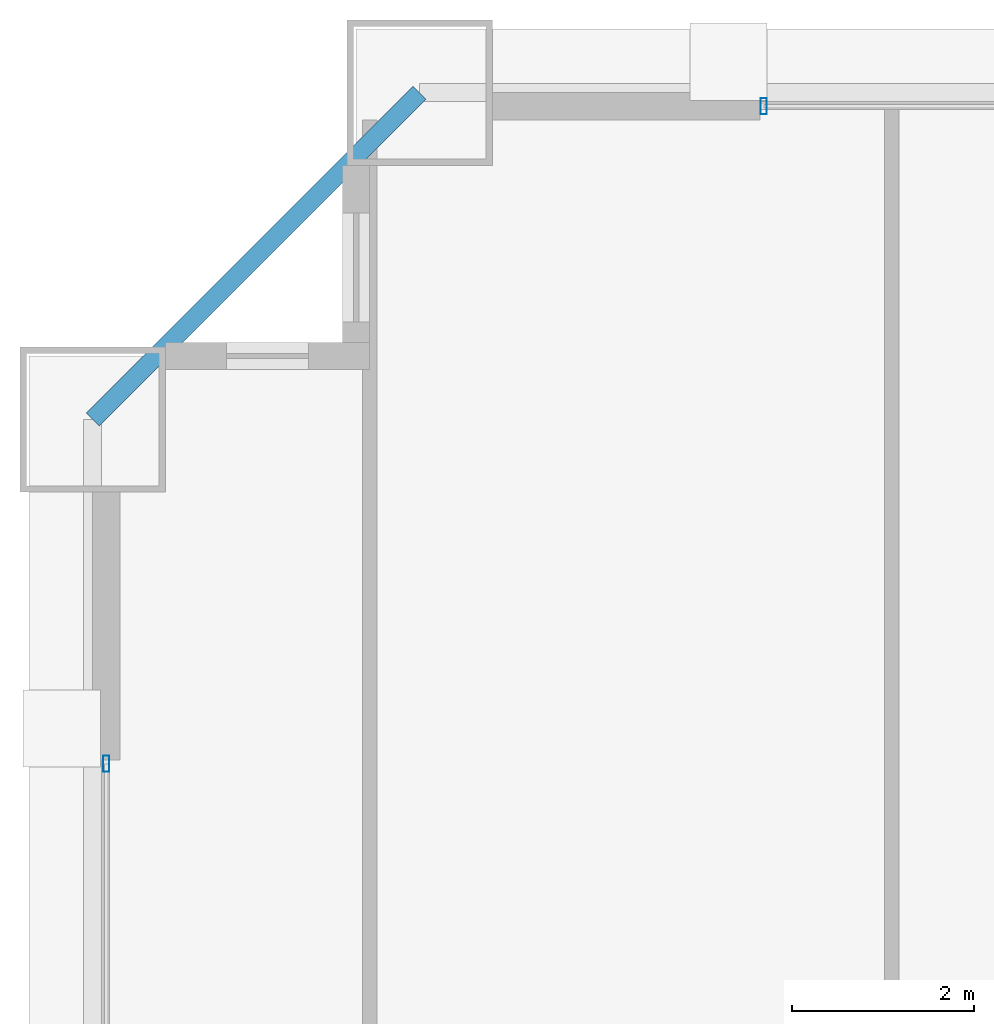
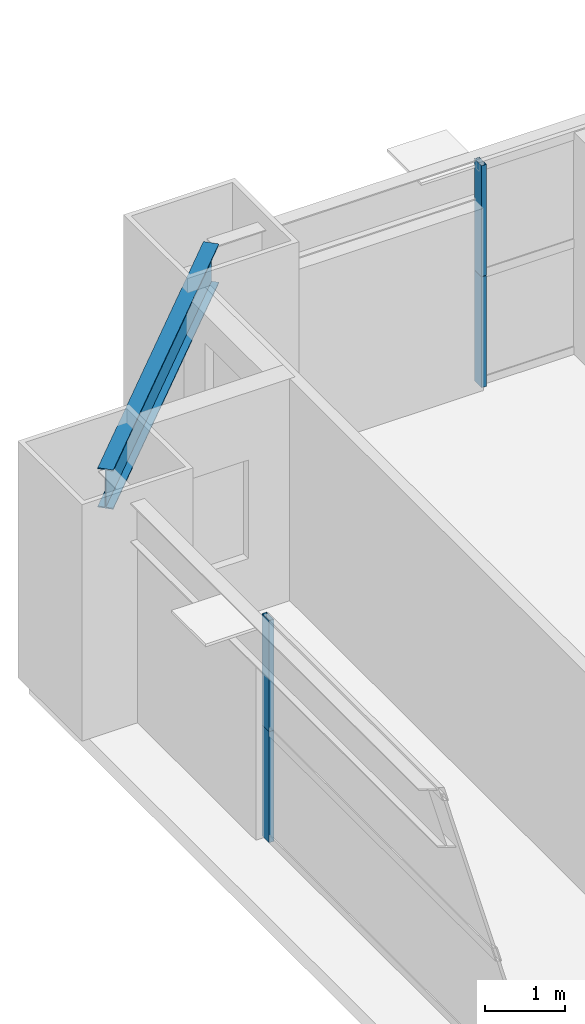
# One storey, part 22 of 38: 4 members, 1 beam, 2 elements without a shape of their own.
"""IFC4 building model written with IfcOpenShell, lengths in metres."""

from ifc_helpers import new_model, si_unit, direction, frame, origin, origin_2d, place, context, subcontext, project, spatial, hollow_rectangle, i_section, extrude, source, transform, mapped, material, layer, layer_set, material_profile, profile_set, type_object, element, aggregate, save


model = new_model("IFC4")

# Units and contexts
model_context = context("Model", 3, precision=1e-05, world=origin(), true_north=direction((0.0, 1.0)))
body_context = subcontext(model_context, "Body", "Model", "MODEL_VIEW")
ifc_project = project(units=[si_unit("LENGTHUNIT", "METRE"), si_unit("AREAUNIT", "SQUARE_METRE"), si_unit("VOLUMEUNIT", "CUBIC_METRE"), si_unit("PLANEANGLEUNIT", "RADIAN"), si_unit("MASSUNIT", "GRAM", prefix="KILO"), si_unit("THERMODYNAMICTEMPERATUREUNIT", "KELVIN"), si_unit("POWERUNIT", "WATT")], contexts=[model_context])

# Site, building, storey
site_placement = place(None, origin())
site = spatial("IfcSite", under=ifc_project, at=site_placement, CompositionType="ELEMENT")
building_placement = place(site_placement, origin())
building = spatial("IfcBuilding", under=site, at=building_placement, Name="Yuzanri Waterfront Tower", CompositionType="ELEMENT")
storey_placement = place(building_placement, frame((0.0, 0.0, 90.199951171875)))
storey = spatial("IfcBuildingStorey", under=building, at=storey_placement, Name="L23", CompositionType="ELEMENT", Elevation=90.199951171875)

# Beam
ifc_material_1 = material(Name="Steel Q355B", Category="steel")
ifc_material_profile_1 = material_profile(ifc_material_1, i_section(OverallWidth=0.199951171875, OverallDepth=0.60009765625, WebThickness=0.010986328125, FlangeThickness=0.01708984375, at=origin_2d()), Name="HN 600x200x11x17")
ifc_profile_set_1 = profile_set([ifc_material_profile_1], Name="Steel Q355B")
beam_type = type_object("IfcBeamType", Name="Perimeter Spandrel Q355B HN 600x200", PredefinedType="SPANDREL", material=ifc_profile_set_1)
shared_shape_1 = source(origin(), body_context, "Body", "SweptSolid", [
    extrude(i_section(OverallWidth=0.199951171875, OverallDepth=0.60009765625, WebThickness=0.010986328125, FlangeThickness=0.01708984375, at=origin_2d()), origin(), (0.0, 0.0, 1.0), 5.091064453125),
])
beam_placement = place(storey_placement, frame((17.0, 49.39990234375, 3.080078125), z_axis=(-0.707130757816, -0.707082803744, 0.0), x_axis=(0.707082803744, -0.707130757816, 0.0)))
element("IfcBeam", 1, at=beam_placement, inside=storey, type_object=beam_type, Name="L23 Perimeter Spandrel N1-W3", PredefinedType="SPANDREL", context=body_context, shape_type="MappedRepresentation", body=[
    mapped(shared_shape_1, transform((0.0, 0.0, 0.0), scale=1.0)),
])

# Curtain wall, members
ifc_material_2 = material(Name="Anodized Architectural Bronze", Category="metal")
ifc_layer = layer(ifc_material_2, 0.159912109375)
ifc_layer_set = layer_set([ifc_layer], Name="Anodized Architectural Bronze")
curtain_wall_type = type_object("IfcCurtainWallType", Name="Anodized Bronze Hotel Upper-Tier Solar-Control Unitized Curtain Wall 7800", PredefinedType="NOTDEFINED", material=ifc_layer_set)
curtain_wall_1_placement = place(storey_placement, origin())
curtain_wall_1 = element("IfcCurtainWall", 2, at=curtain_wall_1_placement, inside=storey, type_object=curtain_wall_type, Name="L23 Curtain Wall CW-L23-NL", PredefinedType="NOTDEFINED")
ifc_material_3 = material(Name="Anodized Architectural Bronze", Category="metal")
ifc_material_profile_2 = material_profile(ifc_material_3, hollow_rectangle(XDim=0.070068359375, YDim=0.179931640625, WallThickness=0.00390625, at=origin_2d()), Name="CWM 70x180")
ifc_profile_set_2 = profile_set([ifc_material_profile_2], Name="Anodized Architectural Bronze")
member_type = type_object("IfcMemberType", Name="Anodized Bronze Standard Curtain-Wall Mullion 70x180", PredefinedType="MULLION", material=ifc_profile_set_2)
shared_shape_2 = source(origin(), body_context, "Body", "SweptSolid", [
    extrude(hollow_rectangle(XDim=0.070068359375, YDim=0.179931640625, WallThickness=0.00390625, at=origin_2d()), origin(), (0.0, 0.0, 1.0), 1.68798828125),
])
member_1_placement = place(storey_placement, frame((20.7900390625, 49.25, 0.0), z_axis=(0.0, 0.0, 1.0), x_axis=(1.0, 0.0, 0.0)))
member_1 = element("IfcMember", 3, at=member_1_placement, type_object=member_type, Name="CW-L23-NL Lower Mullion 00", PredefinedType="MULLION", context=body_context, shape_type="MappedRepresentation", body=[
    mapped(shared_shape_2, transform((0.0, 0.0, 0.0), scale=1.0)),
])
member_2_placement = place(storey_placement, frame((20.7900390625, 49.25, 1.692138671875), z_axis=(0.0, 0.0, 1.0), x_axis=(1.0, 0.0, 0.0)))
member_2 = element("IfcMember", 4, at=member_2_placement, type_object=member_type, Name="CW-L23-NL Upper Mullion 00", PredefinedType="MULLION", context=body_context, shape_type="MappedRepresentation", body=[
    mapped(shared_shape_2, transform((0.0, 0.0, 0.0), scale=1.0)),
])
aggregate(curtain_wall_1, [member_1, member_2])

curtain_wall_2_placement = place(storey_placement, origin())
curtain_wall_2 = element("IfcCurtainWall", 5, at=curtain_wall_2_placement, inside=storey, type_object=curtain_wall_type, Name="L23 Curtain Wall CW-L23-WR", PredefinedType="NOTDEFINED")
member_3_placement = place(storey_placement, frame((13.550048828125, 42.010009765625, 0.0), z_axis=(0.0, 0.0, 1.0), x_axis=(1.0, 0.0, 0.0)))
member_3 = element("IfcMember", 6, at=member_3_placement, type_object=member_type, Name="CW-L23-WR Lower Mullion 02", PredefinedType="MULLION", context=body_context, shape_type="MappedRepresentation", body=[
    mapped(shared_shape_2, transform((0.0, 0.0, 0.0), scale=1.0)),
])
member_4_placement = place(storey_placement, frame((13.550048828125, 42.010009765625, 1.692138671875), z_axis=(0.0, 0.0, 1.0), x_axis=(1.0, 0.0, 0.0)))
member_4 = element("IfcMember", 7, at=member_4_placement, type_object=member_type, Name="CW-L23-WR Upper Mullion 02", PredefinedType="MULLION", context=body_context, shape_type="MappedRepresentation", body=[
    mapped(shared_shape_2, transform((0.0, 0.0, 0.0), scale=1.0)),
])
aggregate(curtain_wall_2, [member_3, member_4])

save(model, "model.ifc")
